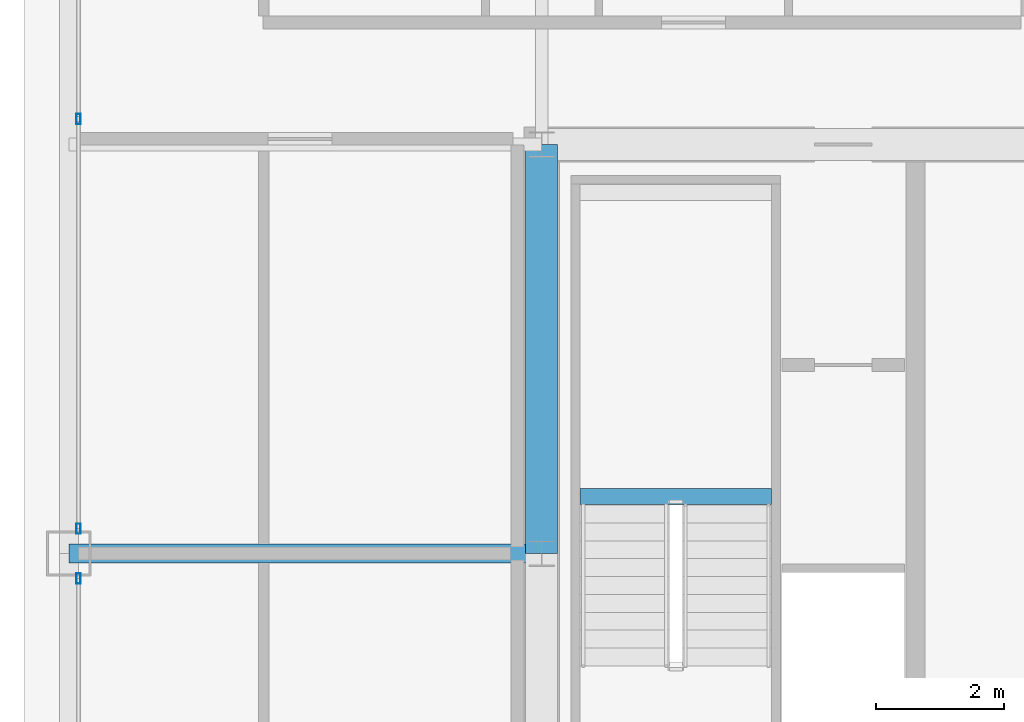
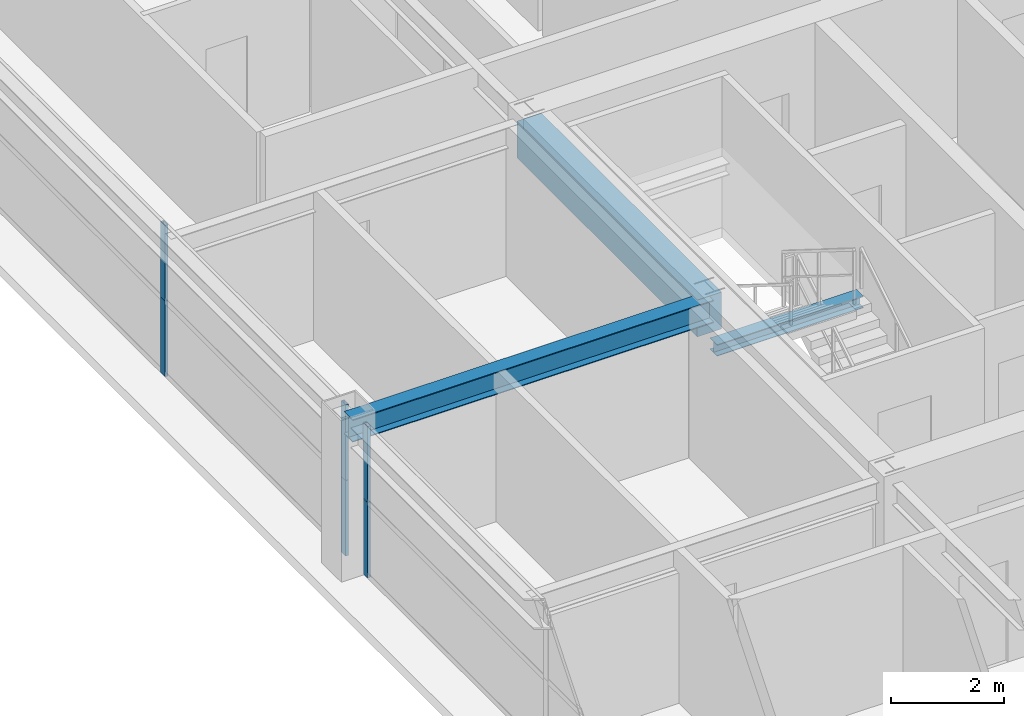
# One storey, part 11 of 35: 6 members, 3 beams, 2 elements without a shape of their own.
"""IFC4 building model written with IfcOpenShell, lengths in metres."""

import ifcopenshell
import ifcopenshell.guid

model = None  # the IFC model being written
_history = None  # IfcOwnerHistory: only IFC2X3 demands one
_inside = {}  # id of a spatial element -> (the spatial element, [elements in it])
_under = {}  # id of a project, library or spatial element -> (it, [spatial elements below it])
_declared = {}  # id of a project -> (the project, [libraries it declares])
_typed = {}  # id of a type object -> (the type object, [elements of that type])
_made_of = {}  # id of a material, layer set ... -> (it, [elements and type objects made of it])


def new_model(schema):
    """Start an empty IFC model of exactly this schema.

    Asked for "IFC4X3", IfcOpenShell would pick the latest addendum, in which some entities
    have other attributes; the version numbers below select the first issue.
    IFC2X3 requires an IfcOwnerHistory on every rooted entity: one is made here for all.
    """
    global model, _history
    if schema == "IFC4X3":
        model = ifcopenshell.file(schema_version=(4, 3, 0, 0))
    else:
        model = ifcopenshell.file(schema=schema)
    _inside.clear()
    _under.clear()
    _declared.clear()
    _typed.clear()
    _made_of.clear()
    _history = None
    if model.schema == "IFC2X3":
        org = make("IfcOrganization", Name="unknown")
        user = make(
            "IfcPersonAndOrganization",
            ThePerson=make("IfcPerson", FamilyName="unknown"),
            TheOrganization=org,
        )
        app = make(
            "IfcApplication",
            ApplicationDeveloper=org,
            Version="unknown",
            ApplicationFullName="unknown",
            ApplicationIdentifier="unknown",
        )
        _history = make(
            "IfcOwnerHistory",
            OwningUser=user,
            OwningApplication=app,
            ChangeAction="ADDED",
            CreationDate=0,
        )
    return model


def make(cls, **values):
    """One entity of the class cls with the attributes given. An attribute that is None is left unset."""
    return model.create_entity(
        cls, **{name: value for name, value in values.items() if value is not None}
    )


def rooted(cls, **values):
    """An entity with a GlobalId (a new one), such as an element, a storey or a relation."""
    return make(cls, GlobalId=ifcopenshell.guid.new(), OwnerHistory=_history, **values)


def si_unit(unit_type, name, prefix=None):
    """IfcSIUnit, for example si_unit("LENGTHUNIT", "METRE", prefix="MILLI")."""
    return make("IfcSIUnit", UnitType=unit_type, Prefix=prefix, Name=name)


def assignment(units):
    """IfcUnitAssignment: the units of a project."""
    return None if units is None else make("IfcUnitAssignment", Units=units)


def point(xyz):
    """IfcCartesianPoint."""
    return None if xyz is None else make("IfcCartesianPoint", Coordinates=xyz)


def direction(xyz):
    """IfcDirection."""
    return None if xyz is None else make("IfcDirection", DirectionRatios=xyz)


def frame(location, z_axis=None, x_axis=None):
    """IfcAxis2Placement3D, a coordinate frame: its origin and axes. An axis left out is left unset."""
    return make(
        "IfcAxis2Placement3D",
        Location=point(location),
        Axis=direction(z_axis),
        RefDirection=direction(x_axis),
    )


def frame_2d(location, x_axis=None):
    """IfcAxis2Placement2D, a coordinate frame in the plane: its origin and x axis."""
    return make(
        "IfcAxis2Placement2D", Location=point(location), RefDirection=direction(x_axis)
    )


def origin():
    """The frame at (0, 0, 0) with its axes left unset."""
    return frame((0.0, 0.0, 0.0))


def origin_2d():
    """The frame at (0, 0) in the plane with its x axis left unset."""
    return frame_2d((0.0, 0.0))


def place(relative_to, where):
    """IfcLocalPlacement: puts the frame where relative to a parent placement (None: the world)."""
    return make(
        "IfcLocalPlacement", PlacementRelTo=relative_to, RelativePlacement=where
    )


def context(
    kind, dimensions, precision=None, world=None, true_north=None, identifier=None
):
    """IfcGeometricRepresentationContext, for example the 3D "Model" context."""
    return make(
        "IfcGeometricRepresentationContext",
        ContextIdentifier=identifier,
        ContextType=kind,
        CoordinateSpaceDimension=dimensions,
        Precision=precision,
        WorldCoordinateSystem=world,
        TrueNorth=true_north,
    )


def subcontext(parent, identifier, kind, view, scale=None):
    """IfcGeometricRepresentationSubContext, for example "Body" below "Model"."""
    return make(
        "IfcGeometricRepresentationSubContext",
        ContextIdentifier=identifier,
        ContextType=kind,
        ParentContext=parent,
        TargetScale=scale,
        TargetView=view,
    )


def project(units=None, contexts=None):
    """IfcProject with its units and contexts."""
    return rooted(
        "IfcProject",
        Name="project",
        RepresentationContexts=contexts,
        UnitsInContext=assignment(units),
    )


def spatial(cls, under=None, at=None, **own):
    """A site, building, storey or space (cls), placed at a placement, below another one or the project."""
    s = rooted(cls, ObjectPlacement=at, **own)
    if under is not None:
        _under.setdefault(under.id(), (under, []))[1].append(s)
    return s


def profile(cls, at=None, kind="AREA", **sizes):
    """A parametric profile (cls). Its sizes go by their IFC names, for example OverallWidth=200.0."""
    return make(cls, ProfileType=kind, Position=at, **sizes)


def rectangle(**sizes):
    """IfcRectangleProfileDef."""
    return profile("IfcRectangleProfileDef", **sizes)


def hollow_rectangle(**sizes):
    """IfcRectangleHollowProfileDef."""
    return profile("IfcRectangleHollowProfileDef", **sizes)


def i_section(**sizes):
    """IfcIShapeProfileDef."""
    return profile("IfcIShapeProfileDef", **sizes)


def extrude(swept, where, along, depth):
    """IfcExtrudedAreaSolid: the profile swept, set in the frame where, extruded along a direction by depth."""
    return make(
        "IfcExtrudedAreaSolid",
        SweptArea=swept,
        Position=where,
        ExtrudedDirection=direction(along),
        Depth=depth,
    )


def shape(context_of_items, identifier, shape_type, items):
    """IfcShapeRepresentation: the items that make up one representation, for example the "Body"."""
    return make(
        "IfcShapeRepresentation",
        ContextOfItems=context_of_items,
        RepresentationIdentifier=identifier,
        RepresentationType=shape_type,
        Items=items,
    )


def source(mapping_origin, context_of_items, identifier, shape_type, items):
    """IfcRepresentationMap: a shape defined once, which mapped items show again and again."""
    return make(
        "IfcRepresentationMap",
        MappingOrigin=mapping_origin,
        MappedRepresentation=shape(context_of_items, identifier, shape_type, items),
    )


def transform(
    local_origin,
    x_axis=None,
    y_axis=None,
    z_axis=None,
    scale=None,
    scale2=None,
    scale3=None,
    uniform=True,
):
    """IfcCartesianTransformationOperator3D, or its non-uniform kind. x_axis, y_axis, z_axis: its Axis1, 2, 3."""
    if uniform:
        return make(
            "IfcCartesianTransformationOperator3D",
            Axis1=direction(x_axis),
            Axis2=direction(y_axis),
            LocalOrigin=point(local_origin),
            Scale=scale,
            Axis3=direction(z_axis),
        )
    return make(
        "IfcCartesianTransformationOperator3DnonUniform",
        Axis1=direction(x_axis),
        Axis2=direction(y_axis),
        LocalOrigin=point(local_origin),
        Scale=scale,
        Axis3=direction(z_axis),
        Scale2=scale2,
        Scale3=scale3,
    )


def mapped(mapping_source, mapping_target):
    """IfcMappedItem: shows the shape of a source again, moved by a transform."""
    return make(
        "IfcMappedItem", MappingSource=mapping_source, MappingTarget=mapping_target
    )


def material(Name=None, Category=None):
    """IfcMaterial."""
    return make("IfcMaterial", Name=Name, Category=Category)


def layer(
    of_material, thickness, ventilated=None, Name=None, Category=None, Priority=None
):
    """IfcMaterialLayer: one layer of a wall or slab, of a material (None: an air gap)."""
    return make(
        "IfcMaterialLayer",
        Material=of_material,
        LayerThickness=thickness,
        IsVentilated=ventilated,
        Name=Name,
        Category=Category,
        Priority=Priority,
    )


def layer_set(layers, Name=None):
    """IfcMaterialLayerSet."""
    return make("IfcMaterialLayerSet", MaterialLayers=layers, LayerSetName=Name)


def material_profile(
    of_material, cross_section, Name=None, Category=None, Priority=None
):
    """IfcMaterialProfile: a cross section and its material."""
    return make(
        "IfcMaterialProfile",
        Name=Name,
        Material=of_material,
        Profile=cross_section,
        Priority=Priority,
        Category=Category,
    )


def profile_set(profiles, Name=None, composite=None):
    """IfcMaterialProfileSet."""
    return make(
        "IfcMaterialProfileSet",
        Name=Name,
        MaterialProfiles=profiles,
        CompositeProfile=composite,
    )


def made_of(thing, what):
    """Note that an element or type object is made of a material, layer set ...; save() writes the relation."""
    if what is not None:
        _made_of.setdefault(what.id(), (what, []))[1].append(thing)
    return thing


def type_object(cls, material=None, **own):
    """A type object (cls), such as IfcWallType, which elements share."""
    return made_of(rooted(cls, **own), material)


def element(
    cls,
    number,
    at=None,
    inside=None,
    cuts=None,
    type_object=None,
    material=None,
    context=None,
    identifier="Body",
    shape_type=None,
    held_by="IfcProductDefinitionShape",
    body=None,
    shapes=None,
    **own,
):
    """One element of the class cls, such as IfcWall. Its Tag is "e" and its number.

    at: its placement. inside: the storey or other place that contains it. cuts: it is an
    opening in that element (IfcRelVoidsElement). A single representation is given by context,
    identifier, shape_type and body (its items); several are given by shapes. held_by: the class
    of the entity that holds the representations. save() writes the other relations.
    """
    e = rooted(cls, Tag="e%d" % number, ObjectPlacement=at, **own)
    if body is not None:
        shapes = [shape(context, identifier, shape_type, body)]
    if shapes is not None:
        e.Representation = make(held_by, Representations=shapes)
    if inside is not None:
        _inside.setdefault(inside.id(), (inside, []))[1].append(e)
    if cuts is not None:
        rooted(
            "IfcRelVoidsElement", RelatingBuildingElement=cuts, RelatedOpeningElement=e
        )
    if type_object is not None:
        _typed.setdefault(type_object.id(), (type_object, []))[1].append(e)
    return made_of(e, material)


def aggregate(whole, parts):
    """IfcRelAggregates: a whole, such as a stair, and the parts it consists of."""
    return rooted("IfcRelAggregates", RelatingObject=whole, RelatedObjects=parts)


def save(model, path):
    """Write the relations noted so far, then the file.

    IfcRelAggregates (storeys below a building ...), IfcRelContainedInSpatialStructure (elements
    in a storey), IfcRelDefinesByType, IfcRelAssociatesMaterial and IfcRelDeclares: one each for
    every whole, place, type object, material and project.
    """
    for whole, parts in _under.values():
        aggregate(whole, parts)
    for where, things in _inside.values():
        rooted(
            "IfcRelContainedInSpatialStructure",
            RelatedElements=things,
            RelatingStructure=where,
        )
    for kind, things in _typed.values():
        rooted("IfcRelDefinesByType", RelatedObjects=things, RelatingType=kind)
    for what, things in _made_of.values():
        rooted("IfcRelAssociatesMaterial", RelatedObjects=things, RelatingMaterial=what)
    for by, libraries in _declared.values():
        rooted("IfcRelDeclares", RelatingContext=by, RelatedDefinitions=libraries)
    model.write(path)


model = new_model("IFC4")

# Units and contexts
model_context = context("Model", 3, precision=1e-05, world=origin(), true_north=direction((0.0, 1.0)))
body_context = subcontext(model_context, "Body", "Model", "MODEL_VIEW")
ifc_project = project(units=[si_unit("LENGTHUNIT", "METRE"), si_unit("AREAUNIT", "SQUARE_METRE"), si_unit("VOLUMEUNIT", "CUBIC_METRE"), si_unit("PLANEANGLEUNIT", "RADIAN"), si_unit("MASSUNIT", "GRAM", prefix="KILO"), si_unit("THERMODYNAMICTEMPERATUREUNIT", "KELVIN"), si_unit("POWERUNIT", "WATT")], contexts=[model_context])

# Site, building, storey
site_placement = place(None, origin())
site = spatial("IfcSite", under=ifc_project, at=site_placement, CompositionType="ELEMENT")
building_placement = place(site_placement, origin())
building = spatial("IfcBuilding", under=site, at=building_placement, Name="Yuzanri Waterfront Tower", CompositionType="ELEMENT")
storey_placement = place(building_placement, frame((0.0, 0.0, 248.60009765625)))
storey = spatial("IfcBuildingStorey", under=building, at=storey_placement, Name="L66", CompositionType="ELEMENT", Elevation=248.60009765625)

# Beams
ifc_material_1 = material(Name="Concrete C50", Category="concrete")
ifc_material_profile_1 = material_profile(ifc_material_1, rectangle(XDim=0.5, YDim=0.800048828125, at=origin_2d()), Name="RC 500x800")
ifc_profile_set_1 = profile_set([ifc_material_profile_1], Name="Concrete C50")
beam_type_1 = type_object("IfcBeamType", Name="Core Coupling Lintel Concrete C50 500x800", PredefinedType="LINTEL", material=ifc_profile_set_1)
shared_shape_1 = source(origin(), body_context, "Body", "SweptSolid", [
    extrude(rectangle(XDim=0.5, YDim=0.800048828125, at=origin_2d()), origin(), (0.0, 0.0, 1.0), 6.39990234375),
])
beam_1_placement = place(storey_placement, frame((23.800048828125, 25.800048828125, 2.8798828125), z_axis=(0.0, 1.0, 0.0), x_axis=(-1.0, 0.0, 0.0)))
element("IfcBeam", 1, at=beam_1_placement, inside=storey, type_object=beam_type_1, Name="L66 Core Tie Beam CW2", PredefinedType="LINTEL", context=body_context, shape_type="MappedRepresentation", body=[
    mapped(shared_shape_1, transform((0.0, 0.0, 0.0), scale=1.0)),
])
ifc_material_2 = material(Name="Steel Q355B", Category="steel")
ifc_material_profile_2 = material_profile(ifc_material_2, i_section(OverallWidth=0.300048828125, OverallDepth=0.488037109375, WebThickness=0.010986328125, FlangeThickness=0.01806640625, at=origin_2d()), Name="HM 488x300x11x18")
ifc_profile_set_2 = profile_set([ifc_material_profile_2], Name="Steel Q355B")
beam_type_2 = type_object("IfcBeamType", Name="Primary Floor Girder Q355B HM 488x300", PredefinedType="BEAM", material=ifc_profile_set_2)
shared_shape_2 = source(origin(), body_context, "Body", "SweptSolid", [
    extrude(i_section(OverallWidth=0.300048828125, OverallDepth=0.488037109375, WebThickness=0.010986328125, FlangeThickness=0.01806640625, at=origin_2d()), origin(), (0.0, 0.0, 1.0), 7.400146484375),
])
beam_2_placement = place(storey_placement, frame((23.800048828125, 25.800048828125, 3.035888671875), z_axis=(-1.0, 0.0, 0.0), x_axis=(0.0, -1.0, 0.0)))
element("IfcBeam", 2, at=beam_2_placement, inside=storey, type_object=beam_type_2, Name="L66 West Grid Girder", PredefinedType="BEAM", context=body_context, shape_type="MappedRepresentation", body=[
    mapped(shared_shape_2, transform((0.0, 0.0, 0.0), scale=1.0)),
])

# Curtain wall, members
ifc_material_3 = material(Name="Anodized Architectural Bronze", Category="metal")
ifc_layer = layer(ifc_material_3, 0.159912109375)
ifc_layer_set = layer_set([ifc_layer], Name="Anodized Architectural Bronze")
curtain_wall_type = type_object("IfcCurtainWallType", Name="Anodized Bronze Mid-Rise Residential Acoustic Unitized Curtain Wall 7200", PredefinedType="NOTDEFINED", material=ifc_layer_set)
curtain_wall_1_placement = place(storey_placement, origin())
curtain_wall_1 = element("IfcCurtainWall", 3, at=curtain_wall_1_placement, inside=storey, type_object=curtain_wall_type, Name="L66 Curtain Wall CW-L66-WL", PredefinedType="NOTDEFINED")
ifc_material_4 = material(Name="Anodized Architectural Bronze", Category="metal")
ifc_material_profile_3 = material_profile(ifc_material_4, hollow_rectangle(XDim=0.06494140625, YDim=0.159912109375, WallThickness=0.00341796875, at=origin_2d()), Name="CWM 65x160")
ifc_profile_set_3 = profile_set([ifc_material_profile_3], Name="Anodized Architectural Bronze")
member_type = type_object("IfcMemberType", Name="Anodized Bronze Upper-Zone Curtain-Wall Mullion 65x160", PredefinedType="MULLION", material=ifc_profile_set_3)
shared_shape_3 = source(origin(), body_context, "Body", "SweptSolid", [
    extrude(hollow_rectangle(XDim=0.06494140625, YDim=0.159912109375, WallThickness=0.00341796875, at=origin_2d()), origin(), (0.0, 0.0, 1.0), 1.637939453125),
])
member_1_placement = place(storey_placement, frame((16.550048828125, 25.409912109375, 0.0), z_axis=(0.0, 0.0, 1.0), x_axis=(1.0, 0.0, 0.0)))
member_1 = element("IfcMember", 4, at=member_1_placement, type_object=member_type, Name="CW-L66-WL Lower Mullion 02", PredefinedType="MULLION", context=body_context, shape_type="MappedRepresentation", body=[
    mapped(shared_shape_3, transform((0.0, 0.0, 0.0), scale=1.0)),
])
member_2_placement = place(storey_placement, frame((16.550048828125, 25.409912109375, 1.641845703125), z_axis=(0.0, 0.0, 1.0), x_axis=(1.0, 0.0, 0.0)))
member_2 = element("IfcMember", 5, at=member_2_placement, type_object=member_type, Name="CW-L66-WL Upper Mullion 02", PredefinedType="MULLION", context=body_context, shape_type="MappedRepresentation", body=[
    mapped(shared_shape_3, transform((0.0, 0.0, 0.0), scale=1.0)),
])
aggregate(curtain_wall_1, [member_1, member_2])

curtain_wall_2_placement = place(storey_placement, origin())
curtain_wall_2 = element("IfcCurtainWall", 6, at=curtain_wall_2_placement, inside=storey, type_object=curtain_wall_type, Name="L66 Curtain Wall CW-L66-WR", PredefinedType="NOTDEFINED")
member_3_placement = place(storey_placement, frame((16.550048828125, 26.18994140625, 0.0), z_axis=(0.0, 0.0, 1.0), x_axis=(1.0, 0.0, 0.0)))
member_3 = element("IfcMember", 7, at=member_3_placement, type_object=member_type, Name="CW-L66-WR Lower Mullion 00", PredefinedType="MULLION", context=body_context, shape_type="MappedRepresentation", body=[
    mapped(shared_shape_3, transform((0.0, 0.0, 0.0), scale=1.0)),
])
member_4_placement = place(storey_placement, frame((16.550048828125, 26.18994140625, 1.641845703125), z_axis=(0.0, 0.0, 1.0), x_axis=(1.0, 0.0, 0.0)))
member_4 = element("IfcMember", 8, at=member_4_placement, type_object=member_type, Name="CW-L66-WR Upper Mullion 00", PredefinedType="MULLION", context=body_context, shape_type="MappedRepresentation", body=[
    mapped(shared_shape_3, transform((0.0, 0.0, 0.0), scale=1.0)),
])
member_5_placement = place(storey_placement, frame((16.550048828125, 32.60009765625, 0.0), z_axis=(0.0, 0.0, 1.0), x_axis=(1.0, 0.0, 0.0)))
member_5 = element("IfcMember", 9, at=member_5_placement, type_object=member_type, Name="CW-L66-WR Lower Mullion 01", PredefinedType="MULLION", context=body_context, shape_type="MappedRepresentation", body=[
    mapped(shared_shape_3, transform((0.0, 0.0, 0.0), scale=1.0)),
])
member_6_placement = place(storey_placement, frame((16.550048828125, 32.60009765625, 1.641845703125), z_axis=(0.0, 0.0, 1.0), x_axis=(1.0, 0.0, 0.0)))
member_6 = element("IfcMember", 10, at=member_6_placement, type_object=member_type, Name="CW-L66-WR Upper Mullion 01", PredefinedType="MULLION", context=body_context, shape_type="MappedRepresentation", body=[
    mapped(shared_shape_3, transform((0.0, 0.0, 0.0), scale=1.0)),
])
aggregate(curtain_wall_2, [member_3, member_4, member_5, member_6])

# Beam
ifc_material_5 = material(Name="Steel Q355B", Category="steel")
ifc_material_profile_4 = material_profile(ifc_material_5, i_section(OverallWidth=0.25, OverallDepth=0.25, WebThickness=0.009033203125, FlangeThickness=0.013916015625, at=origin_2d()), Name="HW 250x250x9x14")
ifc_profile_set_4 = profile_set([ifc_material_profile_4], Name="Steel Q355B")
beam_type_3 = type_object("IfcBeamType", Name="Stair Landing Support Beam Q355B HW 250x250", PredefinedType="BEAM", material=ifc_profile_set_4)
shared_shape_4 = source(origin(), body_context, "Body", "SweptSolid", [
    extrude(i_section(OverallWidth=0.25, OverallDepth=0.25, WebThickness=0.009033203125, FlangeThickness=0.013916015625, at=origin_2d()), origin(), (0.0, 0.0, 1.0), 3.0),
])
beam_3_placement = place(storey_placement, frame((24.39990234375, 26.68994140625, 1.4248046875), z_axis=(1.0, 0.0, 0.0), x_axis=(0.0, 1.0, 0.0)))
element("IfcBeam", 11, at=beam_3_placement, inside=storey, type_object=beam_type_3, Name="L66 Stair Landing Support Beam ST-01-L66-L1-1", PredefinedType="BEAM", context=body_context, shape_type="MappedRepresentation", body=[
    mapped(shared_shape_4, transform((0.0, 0.0, 0.0), scale=1.0)),
])

save(model, "model.ifc")
